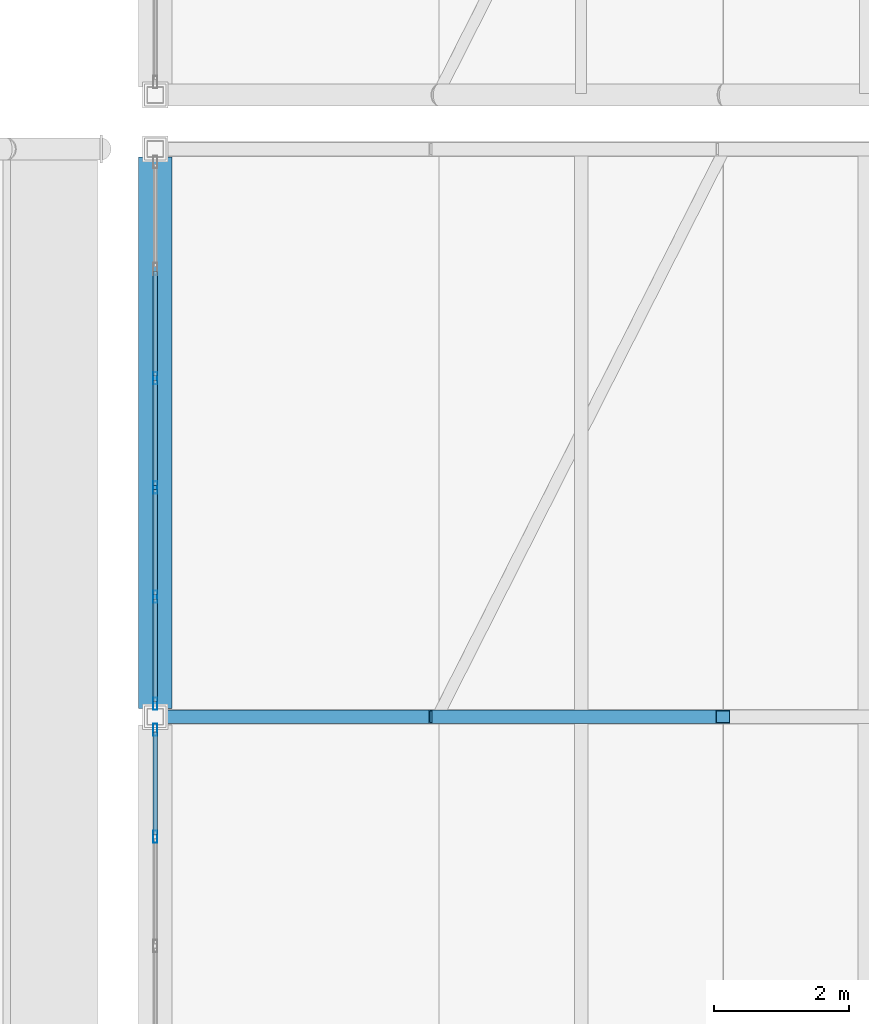
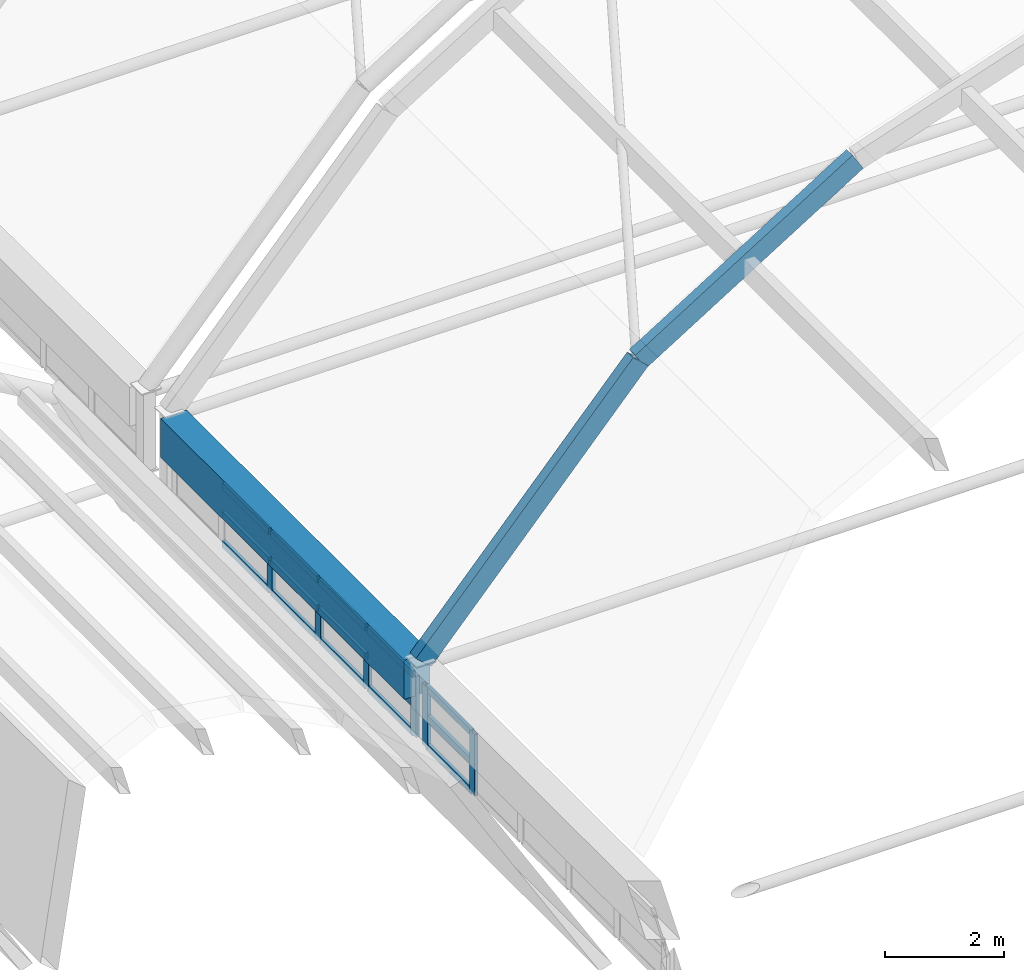
# One storey, part 29 of 114: 21 members, 3 beams, 2 elements without a shape of their own.
"""IFC4 building model written with IfcOpenShell, lengths in metres."""

from ifc_helpers import new_model, si_unit, direction, frame, origin, origin_2d, place, context, subcontext, project, spatial, rectangle, hollow_rectangle, extrude, material, layer, layer_set, material_profile, profile_set, type_object, element, aggregate, save


model = new_model("IFC4")

# Units and contexts
model_context = context("Model", 3, precision=1e-05, world=origin(), true_north=direction((0.0, 1.0)))
body_context = subcontext(model_context, "Body", "Model", "MODEL_VIEW")
ifc_project = project(units=[si_unit("LENGTHUNIT", "METRE"), si_unit("AREAUNIT", "SQUARE_METRE"), si_unit("VOLUMEUNIT", "CUBIC_METRE"), si_unit("PLANEANGLEUNIT", "RADIAN"), si_unit("MASSUNIT", "GRAM", prefix="KILO")], contexts=[model_context])

# Site, building, storey
site_placement = place(None, origin())
site = spatial("IfcSite", under=ifc_project, at=site_placement, CompositionType="ELEMENT")
building_placement = place(site_placement, origin())
building = spatial("IfcBuilding", under=site, at=building_placement, Name="Xazarin Passage Department Store", CompositionType="ELEMENT")
storey_placement = place(building_placement, frame((0.0, 0.0, 14.39990234375)))
storey = spatial("IfcBuildingStorey", under=building, at=storey_placement, Name="L03", CompositionType="ELEMENT", Elevation=14.39990234375)

# Curtain wall, members
ifc_material_1 = material(Name="Bronze anodised aluminium", Category="aluminium")
ifc_layer = layer(ifc_material_1, 0.159912109375)
ifc_layer_set = layer_set([ifc_layer], Name="Bronze anodised aluminium")
curtain_wall_type = type_object("IfcCurtainWallType", Name="ARC-CW-ARC1", PredefinedType="NOTDEFINED", material=ifc_layer_set)
curtain_wall_1_placement = place(storey_placement, origin())
curtain_wall_1 = element("IfcCurtainWall", 1, at=curtain_wall_1_placement, inside=storey, type_object=curtain_wall_type, Name="L03 V2S Galleria Clerestory Curtain Wall 5W", PredefinedType="NOTDEFINED")
ifc_material_profile_1 = material_profile(ifc_material_1, hollow_rectangle(XDim=0.06494140625, YDim=0.179931640625, WallThickness=0.00390625, at=origin_2d()), Name="ALU 65x180")
ifc_profile_set_1 = profile_set([ifc_material_profile_1], Name="Bronze anodised aluminium")
member_type_1 = type_object("IfcMemberType", Name="ARC-CWM-65x180", PredefinedType="MULLION", material=ifc_profile_set_1)
member_1_placement = place(storey_placement, frame((68.0, 40.22412109375, 0.0), z_axis=(0.0, 0.0, 1.0), x_axis=(-1.0, 0.0, 0.0)))
member_1 = element("IfcMember", 2, at=member_1_placement, type_object=member_type_1, Name="CW3 mullion 5", PredefinedType="MULLION", context=body_context, shape_type="SweptSolid", body=[
    extrude(hollow_rectangle(XDim=0.06494140625, YDim=0.179931640625, WallThickness=0.00390625, at=origin_2d()), origin(), (0.0, 0.0, 1.0), 1.251708984375),
])
member_2_placement = place(storey_placement, frame((68.0, 41.8076171875, 0.0), z_axis=(0.0, 0.0, 1.0), x_axis=(-1.0, 0.0, 0.0)))
member_2 = element("IfcMember", 3, at=member_2_placement, type_object=member_type_1, Name="CW3 mullion 6", PredefinedType="MULLION", context=body_context, shape_type="SweptSolid", body=[
    extrude(hollow_rectangle(XDim=0.06494140625, YDim=0.179931640625, WallThickness=0.00390625, at=origin_2d()), origin(), (0.0, 0.0, 1.0), 1.251708984375),
])

curtain_wall_2_placement = place(storey_placement, origin())
curtain_wall_2 = element("IfcCurtainWall", 4, at=curtain_wall_2_placement, inside=storey, type_object=curtain_wall_type, Name="L03 V2S Galleria Clerestory Curtain Wall 6W", PredefinedType="NOTDEFINED")
member_3_placement = place(storey_placement, frame((68.0, 42.1923828125, 0.0), z_axis=(0.0, 0.0, 1.0), x_axis=(-1.0, 0.0, 0.0)))
member_3 = element("IfcMember", 5, at=member_3_placement, type_object=member_type_1, Name="CW3 mullion 1", PredefinedType="MULLION", context=body_context, shape_type="SweptSolid", body=[
    extrude(hollow_rectangle(XDim=0.06494140625, YDim=0.179931640625, WallThickness=0.00390625, at=origin_2d()), origin(), (0.0, 0.0, 1.0), 1.251708984375),
])
member_4_placement = place(storey_placement, frame((68.0, 43.77587890625, 0.0), z_axis=(0.0, 0.0, 1.0), x_axis=(-1.0, 0.0, 0.0)))
member_4 = element("IfcMember", 6, at=member_4_placement, type_object=member_type_1, Name="CW3 mullion 2", PredefinedType="MULLION", context=body_context, shape_type="SweptSolid", body=[
    extrude(hollow_rectangle(XDim=0.06494140625, YDim=0.179931640625, WallThickness=0.00390625, at=origin_2d()), origin(), (0.0, 0.0, 1.0), 1.251708984375),
])
member_5_placement = place(storey_placement, frame((68.0, 45.39208984375, 0.0), z_axis=(0.0, 0.0, 1.0), x_axis=(-1.0, 0.0, 0.0)))
member_5 = element("IfcMember", 7, at=member_5_placement, type_object=member_type_1, Name="CW3 mullion 3", PredefinedType="MULLION", context=body_context, shape_type="SweptSolid", body=[
    extrude(hollow_rectangle(XDim=0.06494140625, YDim=0.179931640625, WallThickness=0.00390625, at=origin_2d()), origin(), (0.0, 0.0, 1.0), 1.251708984375),
])
member_6_placement = place(storey_placement, frame((68.0, 47.008056640625, 0.0), z_axis=(0.0, 0.0, 1.0), x_axis=(-1.0, 0.0, 0.0)))
member_6 = element("IfcMember", 8, at=member_6_placement, type_object=member_type_1, Name="CW3 mullion 4", PredefinedType="MULLION", context=body_context, shape_type="SweptSolid", body=[
    extrude(hollow_rectangle(XDim=0.06494140625, YDim=0.179931640625, WallThickness=0.00390625, at=origin_2d()), origin(), (0.0, 0.0, 1.0), 1.251708984375),
])

# Member
ifc_material_profile_2 = material_profile(ifc_material_1, hollow_rectangle(XDim=0.06494140625, YDim=0.139892578125, WallThickness=0.00390625, at=origin_2d()), Name="ALU 65x140")
ifc_profile_set_2 = profile_set([ifc_material_profile_2], Name="Bronze anodised aluminium")
member_type_2 = type_object("IfcMemberType", Name="ARC-CWT-65x140", PredefinedType="USERDEFINED", material=ifc_profile_set_2)
member_7_placement = place(storey_placement, frame((68.0, 40.256591796875, 0.03271484375), z_axis=(0.0, 1.0, 0.0), x_axis=(-1.0, 0.0, 0.0)))
member_7 = element("IfcMember", 9, at=member_7_placement, type_object=member_type_2, Name="CW3 transom 5.1", ObjectType="TRANSOM", PredefinedType="USERDEFINED", context=body_context, shape_type="SweptSolid", body=[
    extrude(hollow_rectangle(XDim=0.06494140625, YDim=0.139892578125, WallThickness=0.00390625, at=origin_2d()), origin(), (0.0, 0.0, 1.0), 1.518310546875),
])

member_8_placement = place(storey_placement, frame((68.0, 40.256591796875, 0.6259765625), z_axis=(0.0, 1.0, 0.0), x_axis=(-1.0, 0.0, 0.0)))
member_8 = element("IfcMember", 10, at=member_8_placement, type_object=member_type_2, Name="CW3 transom 5.2", ObjectType="TRANSOM", PredefinedType="USERDEFINED", context=body_context, shape_type="SweptSolid", body=[
    extrude(hollow_rectangle(XDim=0.06494140625, YDim=0.139892578125, WallThickness=0.00390625, at=origin_2d()), origin(), (0.0, 0.0, 1.0), 1.518310546875),
])

member_9_placement = place(storey_placement, frame((68.0, 40.256591796875, 1.21923828125), z_axis=(0.0, 1.0, 0.0), x_axis=(-1.0, 0.0, 0.0)))
member_9 = element("IfcMember", 11, at=member_9_placement, type_object=member_type_2, Name="CW3 transom 5.3", ObjectType="TRANSOM", PredefinedType="USERDEFINED", context=body_context, shape_type="SweptSolid", body=[
    extrude(hollow_rectangle(XDim=0.06494140625, YDim=0.139892578125, WallThickness=0.00390625, at=origin_2d()), origin(), (0.0, 0.0, 1.0), 1.518310546875),
])

aggregate(curtain_wall_1, [member_1, member_2, member_7, member_8, member_9])

member_10_placement = place(storey_placement, frame((68.0, 42.22509765625, 0.03271484375), z_axis=(0.0, 1.0, 0.0), x_axis=(-1.0, 0.0, 0.0)))
member_10 = element("IfcMember", 12, at=member_10_placement, type_object=member_type_2, Name="CW3 transom 1.1", ObjectType="TRANSOM", PredefinedType="USERDEFINED", context=body_context, shape_type="SweptSolid", body=[
    extrude(hollow_rectangle(XDim=0.06494140625, YDim=0.139892578125, WallThickness=0.00390625, at=origin_2d()), origin(), (0.0, 0.0, 1.0), 1.518310546875),
])

member_11_placement = place(storey_placement, frame((68.0, 42.22509765625, 0.6259765625), z_axis=(0.0, 1.0, 0.0), x_axis=(-1.0, 0.0, 0.0)))
member_11 = element("IfcMember", 13, at=member_11_placement, type_object=member_type_2, Name="CW3 transom 1.2", ObjectType="TRANSOM", PredefinedType="USERDEFINED", context=body_context, shape_type="SweptSolid", body=[
    extrude(hollow_rectangle(XDim=0.06494140625, YDim=0.139892578125, WallThickness=0.00390625, at=origin_2d()), origin(), (0.0, 0.0, 1.0), 1.518310546875),
])

member_12_placement = place(storey_placement, frame((68.0, 42.22509765625, 1.21923828125), z_axis=(0.0, 1.0, 0.0), x_axis=(-1.0, 0.0, 0.0)))
member_12 = element("IfcMember", 14, at=member_12_placement, type_object=member_type_2, Name="CW3 transom 1.3", ObjectType="TRANSOM", PredefinedType="USERDEFINED", context=body_context, shape_type="SweptSolid", body=[
    extrude(hollow_rectangle(XDim=0.06494140625, YDim=0.139892578125, WallThickness=0.00390625, at=origin_2d()), origin(), (0.0, 0.0, 1.0), 1.518310546875),
])

member_13_placement = place(storey_placement, frame((68.0, 43.80859375, 0.03271484375), z_axis=(0.0, 1.0, 0.0), x_axis=(-1.0, 0.0, 0.0)))
member_13 = element("IfcMember", 15, at=member_13_placement, type_object=member_type_2, Name="CW3 transom 2.1", ObjectType="TRANSOM", PredefinedType="USERDEFINED", context=body_context, shape_type="SweptSolid", body=[
    extrude(hollow_rectangle(XDim=0.06494140625, YDim=0.139892578125, WallThickness=0.00390625, at=origin_2d()), origin(), (0.0, 0.0, 1.0), 1.551025390625),
])

member_14_placement = place(storey_placement, frame((68.0, 43.80859375, 0.6259765625), z_axis=(0.0, 1.0, 0.0), x_axis=(-1.0, 0.0, 0.0)))
member_14 = element("IfcMember", 16, at=member_14_placement, type_object=member_type_2, Name="CW3 transom 2.2", ObjectType="TRANSOM", PredefinedType="USERDEFINED", context=body_context, shape_type="SweptSolid", body=[
    extrude(hollow_rectangle(XDim=0.06494140625, YDim=0.139892578125, WallThickness=0.00390625, at=origin_2d()), origin(), (0.0, 0.0, 1.0), 1.551025390625),
])

member_15_placement = place(storey_placement, frame((68.0, 43.80859375, 1.21923828125), z_axis=(0.0, 1.0, 0.0), x_axis=(-1.0, 0.0, 0.0)))
member_15 = element("IfcMember", 17, at=member_15_placement, type_object=member_type_2, Name="CW3 transom 2.3", ObjectType="TRANSOM", PredefinedType="USERDEFINED", context=body_context, shape_type="SweptSolid", body=[
    extrude(hollow_rectangle(XDim=0.06494140625, YDim=0.139892578125, WallThickness=0.00390625, at=origin_2d()), origin(), (0.0, 0.0, 1.0), 1.551025390625),
])

member_16_placement = place(storey_placement, frame((68.0, 45.424560546875, 0.03271484375), z_axis=(0.0, 1.0, 0.0), x_axis=(-1.0, 0.0, 0.0)))
member_16 = element("IfcMember", 18, at=member_16_placement, type_object=member_type_2, Name="CW3 transom 3.1", ObjectType="TRANSOM", PredefinedType="USERDEFINED", context=body_context, shape_type="SweptSolid", body=[
    extrude(hollow_rectangle(XDim=0.06494140625, YDim=0.139892578125, WallThickness=0.00390625, at=origin_2d()), origin(), (0.0, 0.0, 1.0), 1.551025390625),
])

member_17_placement = place(storey_placement, frame((68.0, 45.424560546875, 0.6259765625), z_axis=(0.0, 1.0, 0.0), x_axis=(-1.0, 0.0, 0.0)))
member_17 = element("IfcMember", 19, at=member_17_placement, type_object=member_type_2, Name="CW3 transom 3.2", ObjectType="TRANSOM", PredefinedType="USERDEFINED", context=body_context, shape_type="SweptSolid", body=[
    extrude(hollow_rectangle(XDim=0.06494140625, YDim=0.139892578125, WallThickness=0.00390625, at=origin_2d()), origin(), (0.0, 0.0, 1.0), 1.551025390625),
])

member_18_placement = place(storey_placement, frame((68.0, 45.424560546875, 1.21923828125), z_axis=(0.0, 1.0, 0.0), x_axis=(-1.0, 0.0, 0.0)))
member_18 = element("IfcMember", 20, at=member_18_placement, type_object=member_type_2, Name="CW3 transom 3.3", ObjectType="TRANSOM", PredefinedType="USERDEFINED", context=body_context, shape_type="SweptSolid", body=[
    extrude(hollow_rectangle(XDim=0.06494140625, YDim=0.139892578125, WallThickness=0.00390625, at=origin_2d()), origin(), (0.0, 0.0, 1.0), 1.551025390625),
])

member_19_placement = place(storey_placement, frame((68.0, 47.04052734375, 0.03271484375), z_axis=(0.0, 1.0, 0.0), x_axis=(-1.0, 0.0, 0.0)))
member_19 = element("IfcMember", 21, at=member_19_placement, type_object=member_type_2, Name="CW3 transom 4.1", ObjectType="TRANSOM", PredefinedType="USERDEFINED", context=body_context, shape_type="SweptSolid", body=[
    extrude(hollow_rectangle(XDim=0.06494140625, YDim=0.139892578125, WallThickness=0.00390625, at=origin_2d()), origin(), (0.0, 0.0, 1.0), 1.551025390625),
])

member_20_placement = place(storey_placement, frame((68.0, 47.04052734375, 0.6259765625), z_axis=(0.0, 1.0, 0.0), x_axis=(-1.0, 0.0, 0.0)))
member_20 = element("IfcMember", 22, at=member_20_placement, type_object=member_type_2, Name="CW3 transom 4.2", ObjectType="TRANSOM", PredefinedType="USERDEFINED", context=body_context, shape_type="SweptSolid", body=[
    extrude(hollow_rectangle(XDim=0.06494140625, YDim=0.139892578125, WallThickness=0.00390625, at=origin_2d()), origin(), (0.0, 0.0, 1.0), 1.551025390625),
])

member_21_placement = place(storey_placement, frame((68.0, 47.04052734375, 1.21923828125), z_axis=(0.0, 1.0, 0.0), x_axis=(-1.0, 0.0, 0.0)))
member_21 = element("IfcMember", 23, at=member_21_placement, type_object=member_type_2, Name="CW3 transom 4.3", ObjectType="TRANSOM", PredefinedType="USERDEFINED", context=body_context, shape_type="SweptSolid", body=[
    extrude(hollow_rectangle(XDim=0.06494140625, YDim=0.139892578125, WallThickness=0.00390625, at=origin_2d()), origin(), (0.0, 0.0, 1.0), 1.551025390625),
])

aggregate(curtain_wall_2, [member_3, member_4, member_5, member_6, member_10, member_11, member_12, member_13, member_14, member_15, member_16, member_17, member_18, member_19, member_20, member_21])

# Beams
ifc_material_2 = material(Name="Steel S355", Category="steel")
ifc_material_profile_3 = material_profile(ifc_material_2, hollow_rectangle(XDim=0.199951171875, YDim=0.39990234375, WallThickness=0.01611328125, at=origin_2d()), Name="RHS 400x200x16")
ifc_profile_set_3 = profile_set([ifc_material_profile_3], Name="Steel S355")
beam_type_1 = type_object("IfcBeamType", Name="STR-BM-AR400", PredefinedType="BEAM", material=ifc_profile_set_3)
beam_1_placement = place(storey_placement, frame((68.0, 42.0, 1.65185546875), z_axis=(0.667891545417, 0.0, 0.74425861336), x_axis=(0.0, 1.0, 0.0)))
element("IfcBeam", 24, at=beam_1_placement, inside=storey, type_object=beam_type_1, Name="V2S Primary Arch Rib 6.1", PredefinedType="BEAM", context=body_context, shape_type="SweptSolid", body=[
    extrude(hollow_rectangle(XDim=0.199951171875, YDim=0.39990234375, WallThickness=0.01611328125, at=origin_2d()), origin(), (0.0, 0.0, 1.0), 6.288330078125),
])
beam_2_placement = place(storey_placement, frame((72.199951171875, 42.0, 6.33203125), z_axis=(0.848571440894, 0.0, 0.529080815848), x_axis=(0.0, 1.0, 0.0)))
element("IfcBeam", 25, at=beam_2_placement, inside=storey, type_object=beam_type_1, Name="V2S Primary Arch Rib 6.2", PredefinedType="BEAM", context=body_context, shape_type="SweptSolid", body=[
    extrude(hollow_rectangle(XDim=0.199951171875, YDim=0.39990234375, WallThickness=0.01611328125, at=origin_2d()), origin(), (0.0, 0.0, 1.0), 4.949462890625),
])
ifc_material_3 = material(Name="Concrete C40/50", Category="concrete")
ifc_material_profile_4 = material_profile(ifc_material_3, rectangle(XDim=0.5, YDim=0.800048828125, at=origin_2d()), Name="RC 500x800")
ifc_profile_set_4 = profile_set([ifc_material_profile_4], Name="Concrete C40/50")
beam_type_2 = type_object("IfcBeamType", Name="STR-BM-RG500x800", PredefinedType="BEAM", material=ifc_profile_set_4)
beam_3_placement = place(storey_placement, frame((68.0, 42.1201171875, 1.251708984375), z_axis=(0.0, 1.0, 0.0), x_axis=(-1.0, 0.0, 0.0)))
element("IfcBeam", 26, at=beam_3_placement, inside=storey, type_object=beam_type_2, Name="V2S Springing Ring Girder W-6", PredefinedType="BEAM", context=body_context, shape_type="SweptSolid", body=[
    extrude(rectangle(XDim=0.5, YDim=0.800048828125, at=origin_2d()), origin(), (0.0, 0.0, 1.0), 8.159912109375),
])

save(model, "model.ifc")
